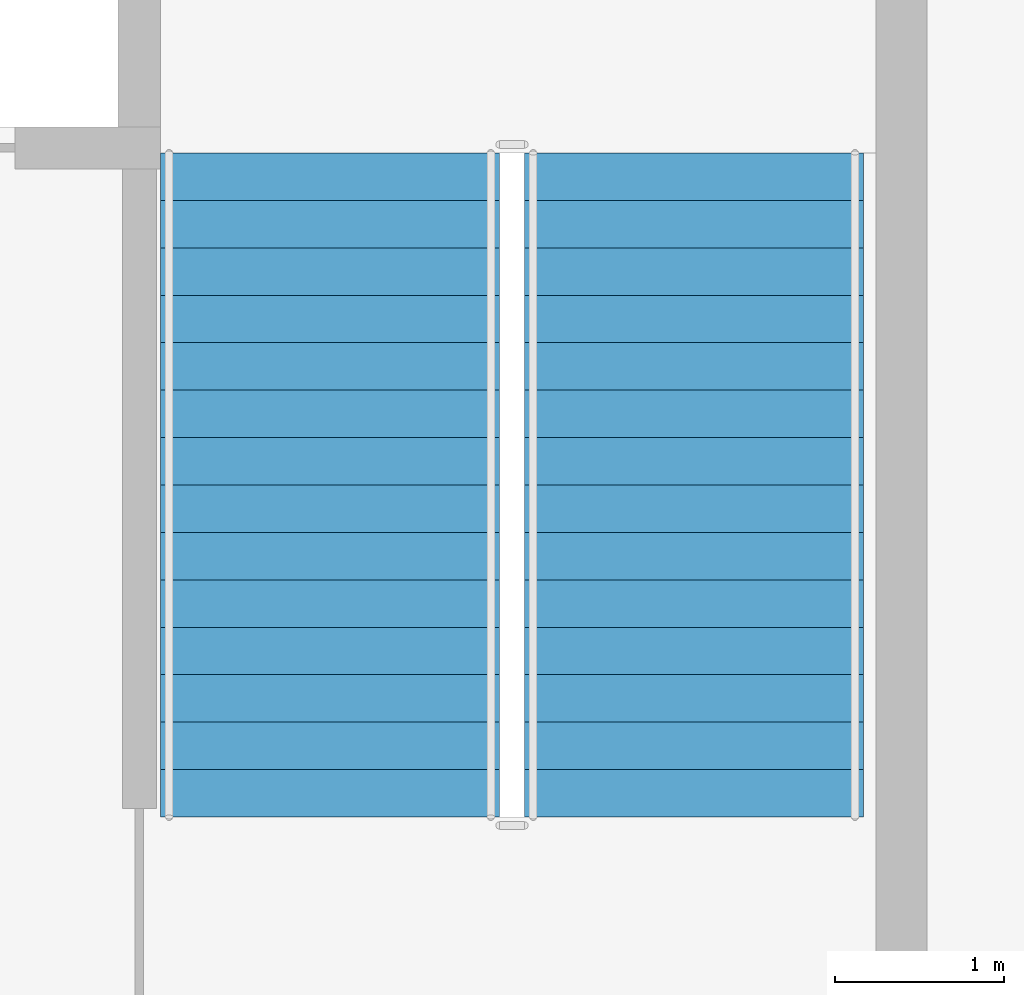
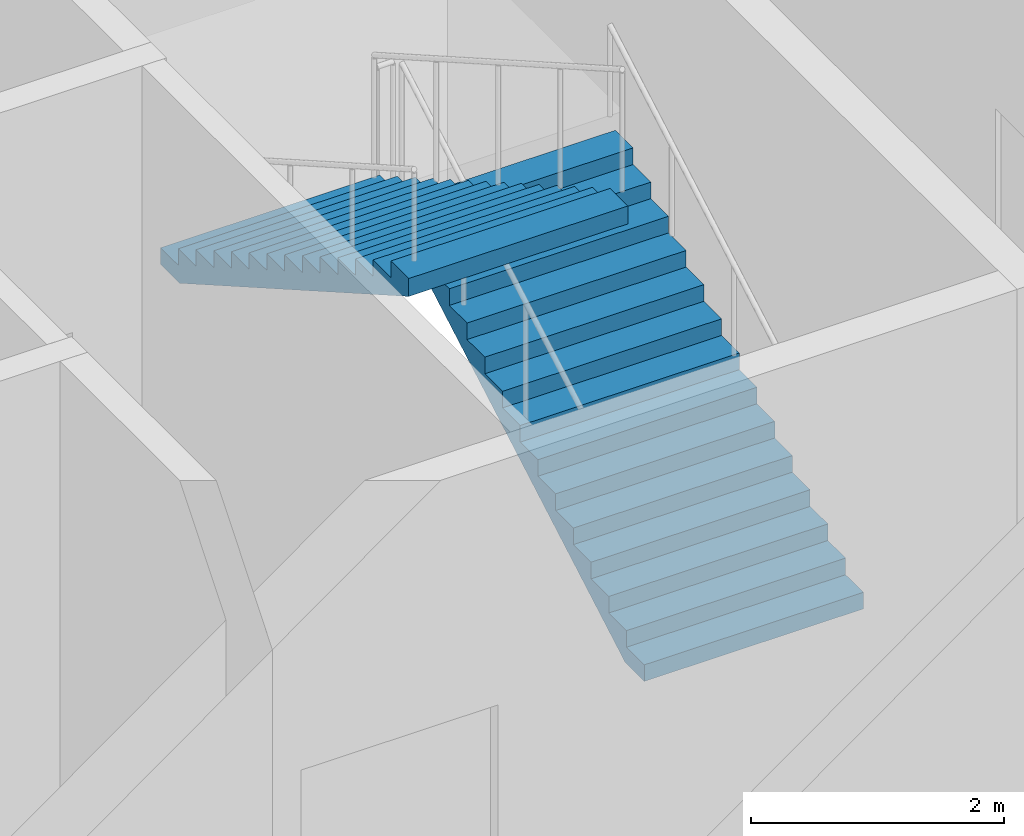
# One storey, part 13 of 23: 2 stair flights, 1 element without a shape of its own.
"""IFC4 building model written with IfcOpenShell, lengths in metres."""

import ifcopenshell
import ifcopenshell.guid

model = None  # the IFC model being written
_history = None  # IfcOwnerHistory: only IFC2X3 demands one
_inside = {}  # id of a spatial element -> (the spatial element, [elements in it])
_under = {}  # id of a project, library or spatial element -> (it, [spatial elements below it])
_declared = {}  # id of a project -> (the project, [libraries it declares])
_typed = {}  # id of a type object -> (the type object, [elements of that type])
_made_of = {}  # id of a material, layer set ... -> (it, [elements and type objects made of it])


def new_model(schema):
    """Start an empty IFC model of exactly this schema.

    Asked for "IFC4X3", IfcOpenShell would pick the latest addendum, in which some entities
    have other attributes; the version numbers below select the first issue.
    IFC2X3 requires an IfcOwnerHistory on every rooted entity: one is made here for all.
    """
    global model, _history
    if schema == "IFC4X3":
        model = ifcopenshell.file(schema_version=(4, 3, 0, 0))
    else:
        model = ifcopenshell.file(schema=schema)
    _inside.clear()
    _under.clear()
    _declared.clear()
    _typed.clear()
    _made_of.clear()
    _history = None
    if model.schema == "IFC2X3":
        org = make("IfcOrganization", Name="unknown")
        user = make(
            "IfcPersonAndOrganization",
            ThePerson=make("IfcPerson", FamilyName="unknown"),
            TheOrganization=org,
        )
        app = make(
            "IfcApplication",
            ApplicationDeveloper=org,
            Version="unknown",
            ApplicationFullName="unknown",
            ApplicationIdentifier="unknown",
        )
        _history = make(
            "IfcOwnerHistory",
            OwningUser=user,
            OwningApplication=app,
            ChangeAction="ADDED",
            CreationDate=0,
        )
    return model


def make(cls, **values):
    """One entity of the class cls with the attributes given. An attribute that is None is left unset."""
    return model.create_entity(
        cls, **{name: value for name, value in values.items() if value is not None}
    )


def rooted(cls, **values):
    """An entity with a GlobalId (a new one), such as an element, a storey or a relation."""
    return make(cls, GlobalId=ifcopenshell.guid.new(), OwnerHistory=_history, **values)


def si_unit(unit_type, name, prefix=None):
    """IfcSIUnit, for example si_unit("LENGTHUNIT", "METRE", prefix="MILLI")."""
    return make("IfcSIUnit", UnitType=unit_type, Prefix=prefix, Name=name)


def assignment(units):
    """IfcUnitAssignment: the units of a project."""
    return None if units is None else make("IfcUnitAssignment", Units=units)


def point(xyz):
    """IfcCartesianPoint."""
    return None if xyz is None else make("IfcCartesianPoint", Coordinates=xyz)


def direction(xyz):
    """IfcDirection."""
    return None if xyz is None else make("IfcDirection", DirectionRatios=xyz)


def frame(location, z_axis=None, x_axis=None):
    """IfcAxis2Placement3D, a coordinate frame: its origin and axes. An axis left out is left unset."""
    return make(
        "IfcAxis2Placement3D",
        Location=point(location),
        Axis=direction(z_axis),
        RefDirection=direction(x_axis),
    )


def origin():
    """The frame at (0, 0, 0) with its axes left unset."""
    return frame((0.0, 0.0, 0.0))


def place(relative_to, where):
    """IfcLocalPlacement: puts the frame where relative to a parent placement (None: the world)."""
    return make(
        "IfcLocalPlacement", PlacementRelTo=relative_to, RelativePlacement=where
    )


def context(
    kind, dimensions, precision=None, world=None, true_north=None, identifier=None
):
    """IfcGeometricRepresentationContext, for example the 3D "Model" context."""
    return make(
        "IfcGeometricRepresentationContext",
        ContextIdentifier=identifier,
        ContextType=kind,
        CoordinateSpaceDimension=dimensions,
        Precision=precision,
        WorldCoordinateSystem=world,
        TrueNorth=true_north,
    )


def subcontext(parent, identifier, kind, view, scale=None):
    """IfcGeometricRepresentationSubContext, for example "Body" below "Model"."""
    return make(
        "IfcGeometricRepresentationSubContext",
        ContextIdentifier=identifier,
        ContextType=kind,
        ParentContext=parent,
        TargetScale=scale,
        TargetView=view,
    )


def project(units=None, contexts=None):
    """IfcProject with its units and contexts."""
    return rooted(
        "IfcProject",
        Name="project",
        RepresentationContexts=contexts,
        UnitsInContext=assignment(units),
    )


def spatial(cls, under=None, at=None, **own):
    """A site, building, storey or space (cls), placed at a placement, below another one or the project."""
    s = rooted(cls, ObjectPlacement=at, **own)
    if under is not None:
        _under.setdefault(under.id(), (under, []))[1].append(s)
    return s


def point_list(points):
    """IfcCartesianPointList2D or 3D."""
    cls = (
        "IfcCartesianPointList2D" if len(points[0]) == 2 else "IfcCartesianPointList3D"
    )
    return make(cls, CoordList=points)


def polygons(points, faces, closed=None, point_numbers=None):
    """IfcPolygonalFaceSet: a face is its outer loop, then its inner loops; points numbered from 1."""
    made = []
    for loops in faces:
        if len(loops) == 1:
            made.append(make("IfcIndexedPolygonalFace", CoordIndex=loops[0]))
        else:
            made.append(
                make(
                    "IfcIndexedPolygonalFaceWithVoids",
                    CoordIndex=loops[0],
                    InnerCoordIndices=loops[1:],
                )
            )
    return make(
        "IfcPolygonalFaceSet",
        Coordinates=point_list(points),
        Closed=closed,
        Faces=made,
        PnIndex=point_numbers,
    )


def shape(context_of_items, identifier, shape_type, items):
    """IfcShapeRepresentation: the items that make up one representation, for example the "Body"."""
    return make(
        "IfcShapeRepresentation",
        ContextOfItems=context_of_items,
        RepresentationIdentifier=identifier,
        RepresentationType=shape_type,
        Items=items,
    )


def material(Name=None, Category=None):
    """IfcMaterial."""
    return make("IfcMaterial", Name=Name, Category=Category)


def made_of(thing, what):
    """Note that an element or type object is made of a material, layer set ...; save() writes the relation."""
    if what is not None:
        _made_of.setdefault(what.id(), (what, []))[1].append(thing)
    return thing


def type_object(cls, material=None, **own):
    """A type object (cls), such as IfcWallType, which elements share."""
    return made_of(rooted(cls, **own), material)


def element(
    cls,
    number,
    at=None,
    inside=None,
    cuts=None,
    type_object=None,
    material=None,
    context=None,
    identifier="Body",
    shape_type=None,
    held_by="IfcProductDefinitionShape",
    body=None,
    shapes=None,
    **own,
):
    """One element of the class cls, such as IfcWall. Its Tag is "e" and its number.

    at: its placement. inside: the storey or other place that contains it. cuts: it is an
    opening in that element (IfcRelVoidsElement). A single representation is given by context,
    identifier, shape_type and body (its items); several are given by shapes. held_by: the class
    of the entity that holds the representations. save() writes the other relations.
    """
    e = rooted(cls, Tag="e%d" % number, ObjectPlacement=at, **own)
    if body is not None:
        shapes = [shape(context, identifier, shape_type, body)]
    if shapes is not None:
        e.Representation = make(held_by, Representations=shapes)
    if inside is not None:
        _inside.setdefault(inside.id(), (inside, []))[1].append(e)
    if cuts is not None:
        rooted(
            "IfcRelVoidsElement", RelatingBuildingElement=cuts, RelatedOpeningElement=e
        )
    if type_object is not None:
        _typed.setdefault(type_object.id(), (type_object, []))[1].append(e)
    return made_of(e, material)


def aggregate(whole, parts):
    """IfcRelAggregates: a whole, such as a stair, and the parts it consists of."""
    return rooted("IfcRelAggregates", RelatingObject=whole, RelatedObjects=parts)


def save(model, path):
    """Write the relations noted so far, then the file.

    IfcRelAggregates (storeys below a building ...), IfcRelContainedInSpatialStructure (elements
    in a storey), IfcRelDefinesByType, IfcRelAssociatesMaterial and IfcRelDeclares: one each for
    every whole, place, type object, material and project.
    """
    for whole, parts in _under.values():
        aggregate(whole, parts)
    for where, things in _inside.values():
        rooted(
            "IfcRelContainedInSpatialStructure",
            RelatedElements=things,
            RelatingStructure=where,
        )
    for kind, things in _typed.values():
        rooted("IfcRelDefinesByType", RelatedObjects=things, RelatingType=kind)
    for what, things in _made_of.values():
        rooted("IfcRelAssociatesMaterial", RelatedObjects=things, RelatingMaterial=what)
    for by, libraries in _declared.values():
        rooted("IfcRelDeclares", RelatingContext=by, RelatedDefinitions=libraries)
    model.write(path)


model = new_model("IFC4")

# Units and contexts
model_context = context("Model", 3, precision=1e-05, world=origin(), true_north=direction((0.0, 1.0)))
body_context = subcontext(model_context, "Body", "Model", "MODEL_VIEW")
ifc_project = project(units=[si_unit("LENGTHUNIT", "METRE"), si_unit("AREAUNIT", "SQUARE_METRE"), si_unit("VOLUMEUNIT", "CUBIC_METRE"), si_unit("PLANEANGLEUNIT", "RADIAN"), si_unit("MASSUNIT", "GRAM", prefix="KILO")], contexts=[model_context])

# Site, building, storey
site_placement = place(None, origin())
site = spatial("IfcSite", under=ifc_project, at=site_placement, CompositionType="ELEMENT")
building_placement = place(site_placement, origin())
building = spatial("IfcBuilding", under=site, at=building_placement, Name="Caravel Reach Hotel and Residences", CompositionType="ELEMENT")
storey_placement = place(building_placement, frame((0.0, 0.0, 24.0)))
storey = spatial("IfcBuildingStorey", under=building, at=storey_placement, Name="L04", CompositionType="ELEMENT", Elevation=24.0)

# Stair, stair flights
ifc_material_1 = material(Name="Concrete C40", Category="concrete")
stair_type = type_object("IfcStairType", Name="Core stair", PredefinedType="HALF_TURN_STAIR", material=ifc_material_1)
stair_placement = place(storey_placement, origin())
stair = element("IfcStair", 1, at=stair_placement, inside=storey, type_object=stair_type, Name="L04 Exit stair B", PredefinedType="HALF_TURN_STAIR")
ifc_material_2 = material(Name="Concrete C40", Category="concrete")
stair_flight_type = type_object("IfcStairFlightType", Name="Core stair flight", PredefinedType="STRAIGHT", material=ifc_material_2)
stair_flight_1_placement = place(storey_placement, frame((43.77490234375, 24.64990234375, 0.0), z_axis=(0.0, 0.0, 1.0), x_axis=(0.0, 1.0, 0.0)))
stair_flight_1 = element("IfcStairFlight", 2, at=stair_flight_1_placement, type_object=stair_flight_type, Name="ST-B flight 1", NumberOfRisers=15, NumberOfTreads=14, PredefinedType="STRAIGHT", RiserHeight=0.16, TreadLength=0.28, context=body_context, shape_type="Tessellation", body=[
    polygons([(0.30213783309663755, 1.0, 0.0), (0.30213783309663755, 0.6666666666666667, 0.0), (0.30213783309663755, 0.33333333333333337, 0.0), (0.30213783309663755, 0.0, 0.0), (0.30213783309663755, -0.33333333333333326, 0.0), (0.30213783309663755, -0.6666666666666667, 0.0), (0.30213783309663755, -1.0, 0.0), (3.9210000000000003, 1.0, 2.0673498096590643), (3.9210000000000003, 0.6666666666666667, 2.0673498096590643), (3.9210000000000003, 0.33333333333333337, 2.0673498096590643), (3.9210000000000003, 0.0, 2.0673498096590643), (3.9210000000000003, -0.33333333333333326, 2.0673498096590643), (3.9210000000000003, -0.6666666666666667, 2.0673498096590643), (3.9210000000000003, -1.0, 2.0673498096590643), (3.9210000000000003, 1.0, 2.24), (3.9210000000000003, 0.6666666666666667, 2.24), (3.9210000000000003, 0.33333333333333337, 2.24), (3.9210000000000003, 0.0, 2.24), (3.9210000000000003, -0.33333333333333326, 2.24), (3.9210000000000003, -0.6666666666666667, 2.24), (3.9210000000000003, -1.0, 2.24), (3.6400000000000006, 1.0, 2.24), (3.6400000000000006, 0.6666666666666667, 2.24), (3.6400000000000006, 0.33333333333333337, 2.24), (3.6400000000000006, 0.0, 2.24), (3.6400000000000006, -0.33333333333333326, 2.24), (3.6400000000000006, -0.6666666666666667, 2.24), (3.6400000000000006, -1.0, 2.24), (3.6400000000000006, 1.0, 2.08), (3.6400000000000006, 0.6666666666666667, 2.08), (3.6400000000000006, 0.33333333333333337, 2.08), (3.6400000000000006, 0.0, 2.08), (3.6400000000000006, -0.33333333333333326, 2.08), (3.6400000000000006, -0.6666666666666667, 2.08), (3.6400000000000006, -1.0, 2.08), (3.3600000000000003, 1.0, 2.08), (3.3600000000000003, 0.6666666666666667, 2.08), (3.3600000000000003, 0.33333333333333337, 2.08), (3.3600000000000003, 0.0, 2.08), (3.3600000000000003, -0.33333333333333326, 2.08), (3.3600000000000003, -0.6666666666666667, 2.08), (3.3600000000000003, -1.0, 2.08), (3.3600000000000003, 1.0, 1.92), (3.3600000000000003, 0.6666666666666667, 1.92), (3.3600000000000003, 0.33333333333333337, 1.92), (3.3600000000000003, 0.0, 1.92), (3.3600000000000003, -0.33333333333333326, 1.92), (3.3600000000000003, -0.6666666666666667, 1.92), (3.3600000000000003, -1.0, 1.92), (3.08, 1.0, 1.92), (3.08, 0.6666666666666667, 1.92), (3.08, 0.33333333333333337, 1.92), (3.08, 0.0, 1.92), (3.08, -0.33333333333333326, 1.92), (3.08, -0.6666666666666667, 1.92), (3.08, -1.0, 1.92), (3.08, 1.0, 1.76), (3.08, 0.6666666666666667, 1.76), (3.08, 0.33333333333333337, 1.76), (3.08, 0.0, 1.76), (3.08, -0.33333333333333326, 1.76), (3.08, -0.6666666666666667, 1.76), (3.08, -1.0, 1.76), (2.8000000000000003, 1.0, 1.76), (2.8000000000000003, 0.6666666666666667, 1.76), (2.8000000000000003, 0.33333333333333337, 1.76), (2.8000000000000003, 0.0, 1.76), (2.8000000000000003, -0.33333333333333326, 1.76), (2.8000000000000003, -0.6666666666666667, 1.76), (2.8000000000000003, -1.0, 1.76), (2.8000000000000003, 1.0, 1.6), (2.8000000000000003, 0.6666666666666667, 1.6), (2.8000000000000003, 0.33333333333333337, 1.6), (2.8000000000000003, 0.0, 1.6), (2.8000000000000003, -0.33333333333333326, 1.6), (2.8000000000000003, -0.6666666666666667, 1.6), (2.8000000000000003, -1.0, 1.6), (2.5200000000000005, 1.0, 1.6), (2.5200000000000005, 0.6666666666666667, 1.6), (2.5200000000000005, 0.33333333333333337, 1.6), (2.5200000000000005, 0.0, 1.6), (2.5200000000000005, -0.33333333333333326, 1.6), (2.5200000000000005, -0.6666666666666667, 1.6), (2.5200000000000005, -1.0, 1.6), (2.5200000000000005, 1.0, 1.44), (2.5200000000000005, 0.6666666666666667, 1.44), (2.5200000000000005, 0.33333333333333337, 1.44), (2.5200000000000005, 0.0, 1.44), (2.5200000000000005, -0.33333333333333326, 1.44), (2.5200000000000005, -0.6666666666666667, 1.44), (2.5200000000000005, -1.0, 1.44), (2.24, 1.0, 1.44), (2.24, 0.6666666666666667, 1.44), (2.24, 0.33333333333333337, 1.44), (2.24, 0.0, 1.44), (2.24, -0.33333333333333326, 1.44), (2.24, -0.6666666666666667, 1.44), (2.24, -1.0, 1.44), (2.24, 1.0, 1.28), (2.24, 0.6666666666666667, 1.28), (2.24, 0.33333333333333337, 1.28), (2.24, 0.0, 1.28), (2.24, -0.33333333333333326, 1.28), (2.24, -0.6666666666666667, 1.28), (2.24, -1.0, 1.28), (1.9600000000000002, 1.0, 1.28), (1.9600000000000002, 0.6666666666666667, 1.28), (1.9600000000000002, 0.33333333333333337, 1.28), (1.9600000000000002, 0.0, 1.28), (1.9600000000000002, -0.33333333333333326, 1.28), (1.9600000000000002, -0.6666666666666667, 1.28), (1.9600000000000002, -1.0, 1.28), (1.9600000000000002, 1.0, 1.12), (1.9600000000000002, 0.6666666666666667, 1.12), (1.9600000000000002, 0.33333333333333337, 1.12), (1.9600000000000002, 0.0, 1.12), (1.9600000000000002, -0.33333333333333326, 1.12), (1.9600000000000002, -0.6666666666666667, 1.12), (1.9600000000000002, -1.0, 1.12), (1.6800000000000002, 1.0, 1.12), (1.6800000000000002, 0.6666666666666667, 1.12), (1.6800000000000002, 0.33333333333333337, 1.12), (1.6800000000000002, 0.0, 1.12), (1.6800000000000002, -0.33333333333333326, 1.12), (1.6800000000000002, -0.6666666666666667, 1.12), (1.6800000000000002, -1.0, 1.12), (1.6800000000000002, 1.0, 0.96), (1.6800000000000002, 0.6666666666666667, 0.96), (1.6800000000000002, 0.33333333333333337, 0.96), (1.6800000000000002, 0.0, 0.96), (1.6800000000000002, -0.33333333333333326, 0.96), (1.6800000000000002, -0.6666666666666667, 0.96), (1.6800000000000002, -1.0, 0.96), (1.4000000000000001, 1.0, 0.96), (1.4000000000000001, 0.6666666666666667, 0.96), (1.4000000000000001, 0.33333333333333337, 0.96), (1.4000000000000001, 0.0, 0.96), (1.4000000000000001, -0.33333333333333326, 0.96), (1.4000000000000001, -0.6666666666666667, 0.96), (1.4000000000000001, -1.0, 0.96), (1.4000000000000001, 1.0, 0.8), (1.4000000000000001, 0.6666666666666667, 0.8), (1.4000000000000001, 0.33333333333333337, 0.8), (1.4000000000000001, 0.0, 0.8), (1.4000000000000001, -0.33333333333333326, 0.8), (1.4000000000000001, -0.6666666666666667, 0.8), (1.4000000000000001, -1.0, 0.8), (1.12, 1.0, 0.8), (1.12, 0.6666666666666667, 0.8), (1.12, 0.33333333333333337, 0.8), (1.12, 0.0, 0.8), (1.12, -0.33333333333333326, 0.8), (1.12, -0.6666666666666667, 0.8), (1.12, -1.0, 0.8), (1.12, 1.0, 0.64), (1.12, 0.6666666666666667, 0.64), (1.12, 0.33333333333333337, 0.64), (1.12, 0.0, 0.64), (1.12, -0.33333333333333326, 0.64), (1.12, -0.6666666666666667, 0.64), (1.12, -1.0, 0.64), (0.8400000000000001, 1.0, 0.64), (0.8400000000000001, 0.6666666666666667, 0.64), (0.8400000000000001, 0.33333333333333337, 0.64), (0.8400000000000001, 0.0, 0.64), (0.8400000000000001, -0.33333333333333326, 0.64), (0.8400000000000001, -0.6666666666666667, 0.64), (0.8400000000000001, -1.0, 0.64), (0.8400000000000001, 1.0, 0.48), (0.8400000000000001, 0.6666666666666667, 0.48), (0.8400000000000001, 0.33333333333333337, 0.48), (0.8400000000000001, 0.0, 0.48), (0.8400000000000001, -0.33333333333333326, 0.48), (0.8400000000000001, -0.6666666666666667, 0.48), (0.8400000000000001, -1.0, 0.48), (0.56, 1.0, 0.48), (0.56, 0.6666666666666667, 0.48), (0.56, 0.33333333333333337, 0.48), (0.56, 0.0, 0.48), (0.56, -0.33333333333333326, 0.48), (0.56, -0.6666666666666667, 0.48), (0.56, -1.0, 0.48), (0.56, 1.0, 0.32), (0.56, 0.6666666666666667, 0.32), (0.56, 0.33333333333333337, 0.32), (0.56, 0.0, 0.32), (0.56, -0.33333333333333326, 0.32), (0.56, -0.6666666666666667, 0.32), (0.56, -1.0, 0.32), (0.28, 1.0, 0.32), (0.28, 0.6666666666666667, 0.32), (0.28, 0.33333333333333337, 0.32), (0.28, 0.0, 0.32), (0.28, -0.33333333333333326, 0.32), (0.28, -0.6666666666666667, 0.32), (0.28, -1.0, 0.32), (0.28, 1.0, 0.16), (0.28, 0.6666666666666667, 0.16), (0.28, 0.33333333333333337, 0.16), (0.28, 0.0, 0.16), (0.28, -0.33333333333333326, 0.16), (0.28, -0.6666666666666667, 0.16), (0.28, -1.0, 0.16), (-0.001, 1.0, 0.16), (-0.001, 0.6666666666666667, 0.16), (-0.001, 0.33333333333333337, 0.16), (-0.001, 0.0, 0.16), (-0.001, -0.33333333333333326, 0.16), (-0.001, -0.6666666666666667, 0.16), (-0.001, -1.0, 0.16), (-0.001, 1.0, 0.0), (-0.001, 0.6666666666666667, 0.0), (-0.001, 0.33333333333333337, 0.0), (-0.001, 0.0, 0.0), (-0.001, -0.33333333333333326, 0.0), (-0.001, -0.6666666666666667, 0.0), (-0.001, -1.0, 0.0)], [[[211, 204, 197, 190, 183, 176, 169, 162, 155, 148, 141, 134, 127, 120, 113, 106, 99, 92, 85, 78, 71, 64, 57, 50, 43, 36, 29, 22, 15, 8, 1]], [[7, 14, 21, 28, 35, 42, 49, 56, 63, 70, 77, 84, 91, 98, 105, 112, 119, 126, 133, 140, 147, 154, 161, 168, 175, 182, 189, 196, 203, 210, 217]], [[1, 8, 9, 2]], [[2, 9, 10, 3]], [[3, 10, 11, 4]], [[4, 11, 12, 5]], [[5, 12, 13, 6]], [[6, 13, 14, 7]], [[8, 15, 16, 9]], [[9, 16, 17, 10]], [[10, 17, 18, 11]], [[11, 18, 19, 12]], [[12, 19, 20, 13]], [[13, 20, 21, 14]], [[15, 22, 23, 16]], [[16, 23, 24, 17]], [[17, 24, 25, 18]], [[18, 25, 26, 19]], [[19, 26, 27, 20]], [[20, 27, 28, 21]], [[22, 29, 30, 23]], [[23, 30, 31, 24]], [[24, 31, 32, 25]], [[25, 32, 33, 26]], [[26, 33, 34, 27]], [[27, 34, 35, 28]], [[29, 36, 37, 30]], [[30, 37, 38, 31]], [[31, 38, 39, 32]], [[32, 39, 40, 33]], [[33, 40, 41, 34]], [[34, 41, 42, 35]], [[36, 43, 44, 37]], [[37, 44, 45, 38]], [[38, 45, 46, 39]], [[39, 46, 47, 40]], [[40, 47, 48, 41]], [[41, 48, 49, 42]], [[43, 50, 51, 44]], [[44, 51, 52, 45]], [[45, 52, 53, 46]], [[46, 53, 54, 47]], [[47, 54, 55, 48]], [[48, 55, 56, 49]], [[50, 57, 58, 51]], [[51, 58, 59, 52]], [[52, 59, 60, 53]], [[53, 60, 61, 54]], [[54, 61, 62, 55]], [[55, 62, 63, 56]], [[57, 64, 65, 58]], [[58, 65, 66, 59]], [[59, 66, 67, 60]], [[60, 67, 68, 61]], [[61, 68, 69, 62]], [[62, 69, 70, 63]], [[64, 71, 72, 65]], [[65, 72, 73, 66]], [[66, 73, 74, 67]], [[67, 74, 75, 68]], [[68, 75, 76, 69]], [[69, 76, 77, 70]], [[71, 78, 79, 72]], [[72, 79, 80, 73]], [[73, 80, 81, 74]], [[74, 81, 82, 75]], [[75, 82, 83, 76]], [[76, 83, 84, 77]], [[78, 85, 86, 79]], [[79, 86, 87, 80]], [[80, 87, 88, 81]], [[81, 88, 89, 82]], [[82, 89, 90, 83]], [[83, 90, 91, 84]], [[85, 92, 93, 86]], [[86, 93, 94, 87]], [[87, 94, 95, 88]], [[88, 95, 96, 89]], [[89, 96, 97, 90]], [[90, 97, 98, 91]], [[92, 99, 100, 93]], [[93, 100, 101, 94]], [[94, 101, 102, 95]], [[95, 102, 103, 96]], [[96, 103, 104, 97]], [[97, 104, 105, 98]], [[99, 106, 107, 100]], [[100, 107, 108, 101]], [[101, 108, 109, 102]], [[102, 109, 110, 103]], [[103, 110, 111, 104]], [[104, 111, 112, 105]], [[106, 113, 114, 107]], [[107, 114, 115, 108]], [[108, 115, 116, 109]], [[109, 116, 117, 110]], [[110, 117, 118, 111]], [[111, 118, 119, 112]], [[113, 120, 121, 114]], [[114, 121, 122, 115]], [[115, 122, 123, 116]], [[116, 123, 124, 117]], [[117, 124, 125, 118]], [[118, 125, 126, 119]], [[120, 127, 128, 121]], [[121, 128, 129, 122]], [[122, 129, 130, 123]], [[123, 130, 131, 124]], [[124, 131, 132, 125]], [[125, 132, 133, 126]], [[127, 134, 135, 128]], [[128, 135, 136, 129]], [[129, 136, 137, 130]], [[130, 137, 138, 131]], [[131, 138, 139, 132]], [[132, 139, 140, 133]], [[134, 141, 142, 135]], [[135, 142, 143, 136]], [[136, 143, 144, 137]], [[137, 144, 145, 138]], [[138, 145, 146, 139]], [[139, 146, 147, 140]], [[141, 148, 149, 142]], [[142, 149, 150, 143]], [[143, 150, 151, 144]], [[144, 151, 152, 145]], [[145, 152, 153, 146]], [[146, 153, 154, 147]], [[148, 155, 156, 149]], [[149, 156, 157, 150]], [[150, 157, 158, 151]], [[151, 158, 159, 152]], [[152, 159, 160, 153]], [[153, 160, 161, 154]], [[155, 162, 163, 156]], [[156, 163, 164, 157]], [[157, 164, 165, 158]], [[158, 165, 166, 159]], [[159, 166, 167, 160]], [[160, 167, 168, 161]], [[162, 169, 170, 163]], [[163, 170, 171, 164]], [[164, 171, 172, 165]], [[165, 172, 173, 166]], [[166, 173, 174, 167]], [[167, 174, 175, 168]], [[169, 176, 177, 170]], [[170, 177, 178, 171]], [[171, 178, 179, 172]], [[172, 179, 180, 173]], [[173, 180, 181, 174]], [[174, 181, 182, 175]], [[176, 183, 184, 177]], [[177, 184, 185, 178]], [[178, 185, 186, 179]], [[179, 186, 187, 180]], [[180, 187, 188, 181]], [[181, 188, 189, 182]], [[183, 190, 191, 184]], [[184, 191, 192, 185]], [[185, 192, 193, 186]], [[186, 193, 194, 187]], [[187, 194, 195, 188]], [[188, 195, 196, 189]], [[190, 197, 198, 191]], [[191, 198, 199, 192]], [[192, 199, 200, 193]], [[193, 200, 201, 194]], [[194, 201, 202, 195]], [[195, 202, 203, 196]], [[197, 204, 205, 198]], [[198, 205, 206, 199]], [[199, 206, 207, 200]], [[200, 207, 208, 201]], [[201, 208, 209, 202]], [[202, 209, 210, 203]], [[204, 211, 212, 205]], [[205, 212, 213, 206]], [[206, 213, 214, 207]], [[207, 214, 215, 208]], [[208, 215, 216, 209]], [[209, 216, 217, 210]], [[211, 1, 2, 212]], [[212, 2, 3, 213]], [[213, 3, 4, 214]], [[214, 4, 5, 215]], [[215, 5, 6, 216]], [[216, 6, 7, 217]]], closed=True),
])
stair_flight_2_placement = place(storey_placement, frame((41.625, 28.570068359375, 2.39990234375), z_axis=(0.0, 0.0, 1.0), x_axis=(0.0, -1.0, 0.0)))
stair_flight_2 = element("IfcStairFlight", 3, at=stair_flight_2_placement, type_object=stair_flight_type, Name="ST-B flight 2", NumberOfRisers=15, NumberOfTreads=14, PredefinedType="STRAIGHT", RiserHeight=0.16, TreadLength=0.28, context=body_context, shape_type="Tessellation", body=[
    polygons([(0.30213783309663755, 1.0, 0.0), (0.30213783309663755, 0.6666666666666667, 0.0), (0.30213783309663755, 0.33333333333333337, 0.0), (0.30213783309663755, 0.0, 0.0), (0.30213783309663755, -0.33333333333333326, 0.0), (0.30213783309663755, -0.6666666666666667, 0.0), (0.30213783309663755, -1.0, 0.0), (3.9210000000000003, 1.0, 2.0673498096590643), (3.9210000000000003, 0.6666666666666667, 2.0673498096590643), (3.9210000000000003, 0.33333333333333337, 2.0673498096590643), (3.9210000000000003, 0.0, 2.0673498096590643), (3.9210000000000003, -0.33333333333333326, 2.0673498096590643), (3.9210000000000003, -0.6666666666666667, 2.0673498096590643), (3.9210000000000003, -1.0, 2.0673498096590643), (3.9210000000000003, 1.0, 2.24), (3.9210000000000003, 0.6666666666666667, 2.24), (3.9210000000000003, 0.33333333333333337, 2.24), (3.9210000000000003, 0.0, 2.24), (3.9210000000000003, -0.33333333333333326, 2.24), (3.9210000000000003, -0.6666666666666667, 2.24), (3.9210000000000003, -1.0, 2.24), (3.6400000000000006, 1.0, 2.24), (3.6400000000000006, 0.6666666666666667, 2.24), (3.6400000000000006, 0.33333333333333337, 2.24), (3.6400000000000006, 0.0, 2.24), (3.6400000000000006, -0.33333333333333326, 2.24), (3.6400000000000006, -0.6666666666666667, 2.24), (3.6400000000000006, -1.0, 2.24), (3.6400000000000006, 1.0, 2.08), (3.6400000000000006, 0.6666666666666667, 2.08), (3.6400000000000006, 0.33333333333333337, 2.08), (3.6400000000000006, 0.0, 2.08), (3.6400000000000006, -0.33333333333333326, 2.08), (3.6400000000000006, -0.6666666666666667, 2.08), (3.6400000000000006, -1.0, 2.08), (3.3600000000000003, 1.0, 2.08), (3.3600000000000003, 0.6666666666666667, 2.08), (3.3600000000000003, 0.33333333333333337, 2.08), (3.3600000000000003, 0.0, 2.08), (3.3600000000000003, -0.33333333333333326, 2.08), (3.3600000000000003, -0.6666666666666667, 2.08), (3.3600000000000003, -1.0, 2.08), (3.3600000000000003, 1.0, 1.92), (3.3600000000000003, 0.6666666666666667, 1.92), (3.3600000000000003, 0.33333333333333337, 1.92), (3.3600000000000003, 0.0, 1.92), (3.3600000000000003, -0.33333333333333326, 1.92), (3.3600000000000003, -0.6666666666666667, 1.92), (3.3600000000000003, -1.0, 1.92), (3.08, 1.0, 1.92), (3.08, 0.6666666666666667, 1.92), (3.08, 0.33333333333333337, 1.92), (3.08, 0.0, 1.92), (3.08, -0.33333333333333326, 1.92), (3.08, -0.6666666666666667, 1.92), (3.08, -1.0, 1.92), (3.08, 1.0, 1.76), (3.08, 0.6666666666666667, 1.76), (3.08, 0.33333333333333337, 1.76), (3.08, 0.0, 1.76), (3.08, -0.33333333333333326, 1.76), (3.08, -0.6666666666666667, 1.76), (3.08, -1.0, 1.76), (2.8000000000000003, 1.0, 1.76), (2.8000000000000003, 0.6666666666666667, 1.76), (2.8000000000000003, 0.33333333333333337, 1.76), (2.8000000000000003, 0.0, 1.76), (2.8000000000000003, -0.33333333333333326, 1.76), (2.8000000000000003, -0.6666666666666667, 1.76), (2.8000000000000003, -1.0, 1.76), (2.8000000000000003, 1.0, 1.6), (2.8000000000000003, 0.6666666666666667, 1.6), (2.8000000000000003, 0.33333333333333337, 1.6), (2.8000000000000003, 0.0, 1.6), (2.8000000000000003, -0.33333333333333326, 1.6), (2.8000000000000003, -0.6666666666666667, 1.6), (2.8000000000000003, -1.0, 1.6), (2.5200000000000005, 1.0, 1.6), (2.5200000000000005, 0.6666666666666667, 1.6), (2.5200000000000005, 0.33333333333333337, 1.6), (2.5200000000000005, 0.0, 1.6), (2.5200000000000005, -0.33333333333333326, 1.6), (2.5200000000000005, -0.6666666666666667, 1.6), (2.5200000000000005, -1.0, 1.6), (2.5200000000000005, 1.0, 1.44), (2.5200000000000005, 0.6666666666666667, 1.44), (2.5200000000000005, 0.33333333333333337, 1.44), (2.5200000000000005, 0.0, 1.44), (2.5200000000000005, -0.33333333333333326, 1.44), (2.5200000000000005, -0.6666666666666667, 1.44), (2.5200000000000005, -1.0, 1.44), (2.24, 1.0, 1.44), (2.24, 0.6666666666666667, 1.44), (2.24, 0.33333333333333337, 1.44), (2.24, 0.0, 1.44), (2.24, -0.33333333333333326, 1.44), (2.24, -0.6666666666666667, 1.44), (2.24, -1.0, 1.44), (2.24, 1.0, 1.28), (2.24, 0.6666666666666667, 1.28), (2.24, 0.33333333333333337, 1.28), (2.24, 0.0, 1.28), (2.24, -0.33333333333333326, 1.28), (2.24, -0.6666666666666667, 1.28), (2.24, -1.0, 1.28), (1.9600000000000002, 1.0, 1.28), (1.9600000000000002, 0.6666666666666667, 1.28), (1.9600000000000002, 0.33333333333333337, 1.28), (1.9600000000000002, 0.0, 1.28), (1.9600000000000002, -0.33333333333333326, 1.28), (1.9600000000000002, -0.6666666666666667, 1.28), (1.9600000000000002, -1.0, 1.28), (1.9600000000000002, 1.0, 1.12), (1.9600000000000002, 0.6666666666666667, 1.12), (1.9600000000000002, 0.33333333333333337, 1.12), (1.9600000000000002, 0.0, 1.12), (1.9600000000000002, -0.33333333333333326, 1.12), (1.9600000000000002, -0.6666666666666667, 1.12), (1.9600000000000002, -1.0, 1.12), (1.6800000000000002, 1.0, 1.12), (1.6800000000000002, 0.6666666666666667, 1.12), (1.6800000000000002, 0.33333333333333337, 1.12), (1.6800000000000002, 0.0, 1.12), (1.6800000000000002, -0.33333333333333326, 1.12), (1.6800000000000002, -0.6666666666666667, 1.12), (1.6800000000000002, -1.0, 1.12), (1.6800000000000002, 1.0, 0.96), (1.6800000000000002, 0.6666666666666667, 0.96), (1.6800000000000002, 0.33333333333333337, 0.96), (1.6800000000000002, 0.0, 0.96), (1.6800000000000002, -0.33333333333333326, 0.96), (1.6800000000000002, -0.6666666666666667, 0.96), (1.6800000000000002, -1.0, 0.96), (1.4000000000000001, 1.0, 0.96), (1.4000000000000001, 0.6666666666666667, 0.96), (1.4000000000000001, 0.33333333333333337, 0.96), (1.4000000000000001, 0.0, 0.96), (1.4000000000000001, -0.33333333333333326, 0.96), (1.4000000000000001, -0.6666666666666667, 0.96), (1.4000000000000001, -1.0, 0.96), (1.4000000000000001, 1.0, 0.8), (1.4000000000000001, 0.6666666666666667, 0.8), (1.4000000000000001, 0.33333333333333337, 0.8), (1.4000000000000001, 0.0, 0.8), (1.4000000000000001, -0.33333333333333326, 0.8), (1.4000000000000001, -0.6666666666666667, 0.8), (1.4000000000000001, -1.0, 0.8), (1.12, 1.0, 0.8), (1.12, 0.6666666666666667, 0.8), (1.12, 0.33333333333333337, 0.8), (1.12, 0.0, 0.8), (1.12, -0.33333333333333326, 0.8), (1.12, -0.6666666666666667, 0.8), (1.12, -1.0, 0.8), (1.12, 1.0, 0.64), (1.12, 0.6666666666666667, 0.64), (1.12, 0.33333333333333337, 0.64), (1.12, 0.0, 0.64), (1.12, -0.33333333333333326, 0.64), (1.12, -0.6666666666666667, 0.64), (1.12, -1.0, 0.64), (0.8400000000000001, 1.0, 0.64), (0.8400000000000001, 0.6666666666666667, 0.64), (0.8400000000000001, 0.33333333333333337, 0.64), (0.8400000000000001, 0.0, 0.64), (0.8400000000000001, -0.33333333333333326, 0.64), (0.8400000000000001, -0.6666666666666667, 0.64), (0.8400000000000001, -1.0, 0.64), (0.8400000000000001, 1.0, 0.48), (0.8400000000000001, 0.6666666666666667, 0.48), (0.8400000000000001, 0.33333333333333337, 0.48), (0.8400000000000001, 0.0, 0.48), (0.8400000000000001, -0.33333333333333326, 0.48), (0.8400000000000001, -0.6666666666666667, 0.48), (0.8400000000000001, -1.0, 0.48), (0.56, 1.0, 0.48), (0.56, 0.6666666666666667, 0.48), (0.56, 0.33333333333333337, 0.48), (0.56, 0.0, 0.48), (0.56, -0.33333333333333326, 0.48), (0.56, -0.6666666666666667, 0.48), (0.56, -1.0, 0.48), (0.56, 1.0, 0.32), (0.56, 0.6666666666666667, 0.32), (0.56, 0.33333333333333337, 0.32), (0.56, 0.0, 0.32), (0.56, -0.33333333333333326, 0.32), (0.56, -0.6666666666666667, 0.32), (0.56, -1.0, 0.32), (0.28, 1.0, 0.32), (0.28, 0.6666666666666667, 0.32), (0.28, 0.33333333333333337, 0.32), (0.28, 0.0, 0.32), (0.28, -0.33333333333333326, 0.32), (0.28, -0.6666666666666667, 0.32), (0.28, -1.0, 0.32), (0.28, 1.0, 0.16), (0.28, 0.6666666666666667, 0.16), (0.28, 0.33333333333333337, 0.16), (0.28, 0.0, 0.16), (0.28, -0.33333333333333326, 0.16), (0.28, -0.6666666666666667, 0.16), (0.28, -1.0, 0.16), (-0.001, 1.0, 0.16), (-0.001, 0.6666666666666667, 0.16), (-0.001, 0.33333333333333337, 0.16), (-0.001, 0.0, 0.16), (-0.001, -0.33333333333333326, 0.16), (-0.001, -0.6666666666666667, 0.16), (-0.001, -1.0, 0.16), (-0.001, 1.0, 0.0), (-0.001, 0.6666666666666667, 0.0), (-0.001, 0.33333333333333337, 0.0), (-0.001, 0.0, 0.0), (-0.001, -0.33333333333333326, 0.0), (-0.001, -0.6666666666666667, 0.0), (-0.001, -1.0, 0.0)], [[[211, 204, 197, 190, 183, 176, 169, 162, 155, 148, 141, 134, 127, 120, 113, 106, 99, 92, 85, 78, 71, 64, 57, 50, 43, 36, 29, 22, 15, 8, 1]], [[7, 14, 21, 28, 35, 42, 49, 56, 63, 70, 77, 84, 91, 98, 105, 112, 119, 126, 133, 140, 147, 154, 161, 168, 175, 182, 189, 196, 203, 210, 217]], [[1, 8, 9, 2]], [[2, 9, 10, 3]], [[3, 10, 11, 4]], [[4, 11, 12, 5]], [[5, 12, 13, 6]], [[6, 13, 14, 7]], [[8, 15, 16, 9]], [[9, 16, 17, 10]], [[10, 17, 18, 11]], [[11, 18, 19, 12]], [[12, 19, 20, 13]], [[13, 20, 21, 14]], [[15, 22, 23, 16]], [[16, 23, 24, 17]], [[17, 24, 25, 18]], [[18, 25, 26, 19]], [[19, 26, 27, 20]], [[20, 27, 28, 21]], [[22, 29, 30, 23]], [[23, 30, 31, 24]], [[24, 31, 32, 25]], [[25, 32, 33, 26]], [[26, 33, 34, 27]], [[27, 34, 35, 28]], [[29, 36, 37, 30]], [[30, 37, 38, 31]], [[31, 38, 39, 32]], [[32, 39, 40, 33]], [[33, 40, 41, 34]], [[34, 41, 42, 35]], [[36, 43, 44, 37]], [[37, 44, 45, 38]], [[38, 45, 46, 39]], [[39, 46, 47, 40]], [[40, 47, 48, 41]], [[41, 48, 49, 42]], [[43, 50, 51, 44]], [[44, 51, 52, 45]], [[45, 52, 53, 46]], [[46, 53, 54, 47]], [[47, 54, 55, 48]], [[48, 55, 56, 49]], [[50, 57, 58, 51]], [[51, 58, 59, 52]], [[52, 59, 60, 53]], [[53, 60, 61, 54]], [[54, 61, 62, 55]], [[55, 62, 63, 56]], [[57, 64, 65, 58]], [[58, 65, 66, 59]], [[59, 66, 67, 60]], [[60, 67, 68, 61]], [[61, 68, 69, 62]], [[62, 69, 70, 63]], [[64, 71, 72, 65]], [[65, 72, 73, 66]], [[66, 73, 74, 67]], [[67, 74, 75, 68]], [[68, 75, 76, 69]], [[69, 76, 77, 70]], [[71, 78, 79, 72]], [[72, 79, 80, 73]], [[73, 80, 81, 74]], [[74, 81, 82, 75]], [[75, 82, 83, 76]], [[76, 83, 84, 77]], [[78, 85, 86, 79]], [[79, 86, 87, 80]], [[80, 87, 88, 81]], [[81, 88, 89, 82]], [[82, 89, 90, 83]], [[83, 90, 91, 84]], [[85, 92, 93, 86]], [[86, 93, 94, 87]], [[87, 94, 95, 88]], [[88, 95, 96, 89]], [[89, 96, 97, 90]], [[90, 97, 98, 91]], [[92, 99, 100, 93]], [[93, 100, 101, 94]], [[94, 101, 102, 95]], [[95, 102, 103, 96]], [[96, 103, 104, 97]], [[97, 104, 105, 98]], [[99, 106, 107, 100]], [[100, 107, 108, 101]], [[101, 108, 109, 102]], [[102, 109, 110, 103]], [[103, 110, 111, 104]], [[104, 111, 112, 105]], [[106, 113, 114, 107]], [[107, 114, 115, 108]], [[108, 115, 116, 109]], [[109, 116, 117, 110]], [[110, 117, 118, 111]], [[111, 118, 119, 112]], [[113, 120, 121, 114]], [[114, 121, 122, 115]], [[115, 122, 123, 116]], [[116, 123, 124, 117]], [[117, 124, 125, 118]], [[118, 125, 126, 119]], [[120, 127, 128, 121]], [[121, 128, 129, 122]], [[122, 129, 130, 123]], [[123, 130, 131, 124]], [[124, 131, 132, 125]], [[125, 132, 133, 126]], [[127, 134, 135, 128]], [[128, 135, 136, 129]], [[129, 136, 137, 130]], [[130, 137, 138, 131]], [[131, 138, 139, 132]], [[132, 139, 140, 133]], [[134, 141, 142, 135]], [[135, 142, 143, 136]], [[136, 143, 144, 137]], [[137, 144, 145, 138]], [[138, 145, 146, 139]], [[139, 146, 147, 140]], [[141, 148, 149, 142]], [[142, 149, 150, 143]], [[143, 150, 151, 144]], [[144, 151, 152, 145]], [[145, 152, 153, 146]], [[146, 153, 154, 147]], [[148, 155, 156, 149]], [[149, 156, 157, 150]], [[150, 157, 158, 151]], [[151, 158, 159, 152]], [[152, 159, 160, 153]], [[153, 160, 161, 154]], [[155, 162, 163, 156]], [[156, 163, 164, 157]], [[157, 164, 165, 158]], [[158, 165, 166, 159]], [[159, 166, 167, 160]], [[160, 167, 168, 161]], [[162, 169, 170, 163]], [[163, 170, 171, 164]], [[164, 171, 172, 165]], [[165, 172, 173, 166]], [[166, 173, 174, 167]], [[167, 174, 175, 168]], [[169, 176, 177, 170]], [[170, 177, 178, 171]], [[171, 178, 179, 172]], [[172, 179, 180, 173]], [[173, 180, 181, 174]], [[174, 181, 182, 175]], [[176, 183, 184, 177]], [[177, 184, 185, 178]], [[178, 185, 186, 179]], [[179, 186, 187, 180]], [[180, 187, 188, 181]], [[181, 188, 189, 182]], [[183, 190, 191, 184]], [[184, 191, 192, 185]], [[185, 192, 193, 186]], [[186, 193, 194, 187]], [[187, 194, 195, 188]], [[188, 195, 196, 189]], [[190, 197, 198, 191]], [[191, 198, 199, 192]], [[192, 199, 200, 193]], [[193, 200, 201, 194]], [[194, 201, 202, 195]], [[195, 202, 203, 196]], [[197, 204, 205, 198]], [[198, 205, 206, 199]], [[199, 206, 207, 200]], [[200, 207, 208, 201]], [[201, 208, 209, 202]], [[202, 209, 210, 203]], [[204, 211, 212, 205]], [[205, 212, 213, 206]], [[206, 213, 214, 207]], [[207, 214, 215, 208]], [[208, 215, 216, 209]], [[209, 216, 217, 210]], [[211, 1, 2, 212]], [[212, 2, 3, 213]], [[213, 3, 4, 214]], [[214, 4, 5, 215]], [[215, 5, 6, 216]], [[216, 6, 7, 217]]], closed=True),
])
aggregate(stair, [stair_flight_1, stair_flight_2])

save(model, "model.ifc")
